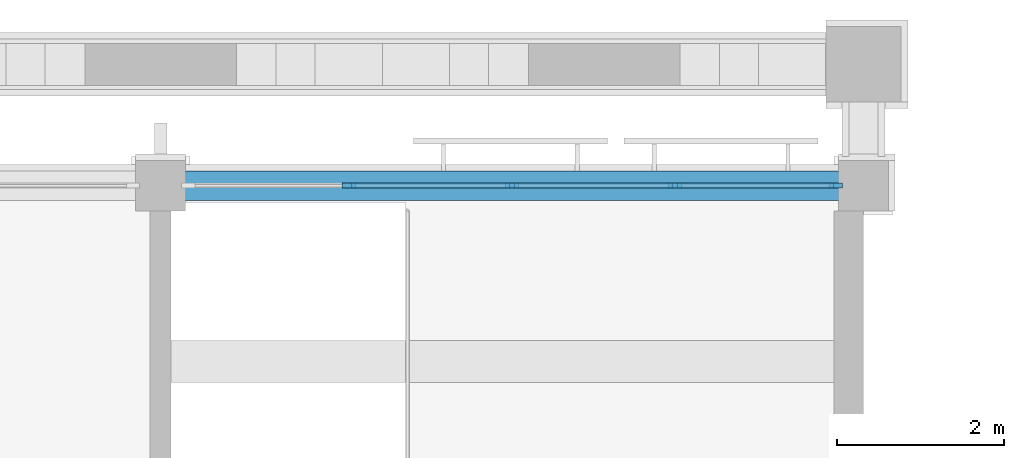
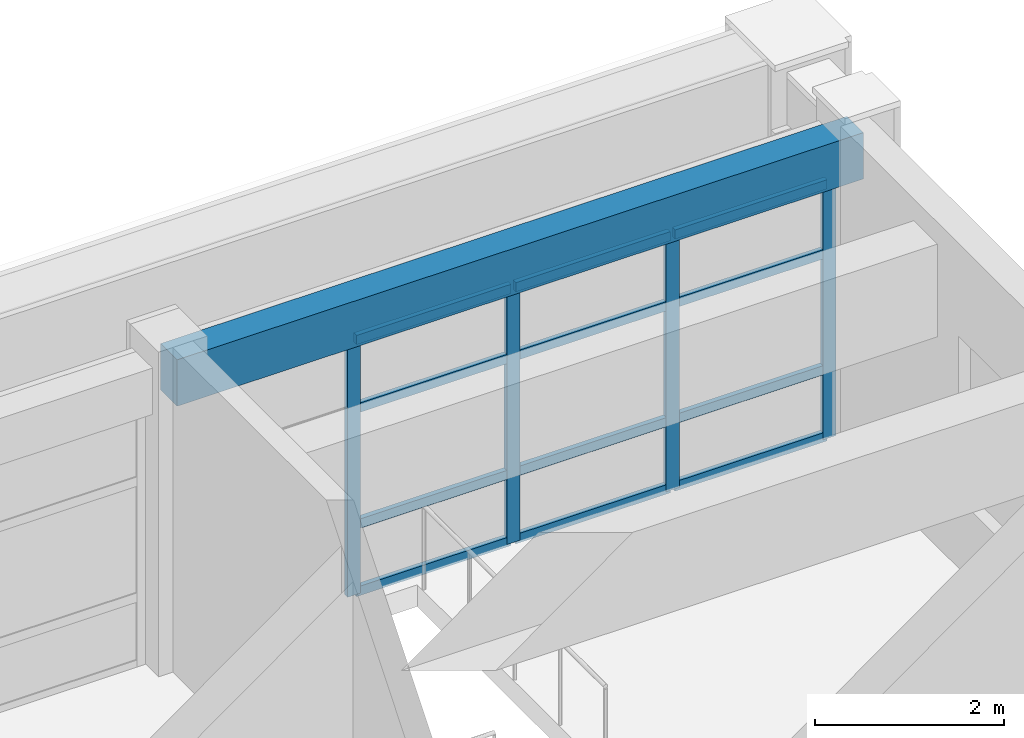
# One storey, part 15 of 68: 16 members, 1 beam, 1 element without a shape of its own.
"""IFC4 building model written with IfcOpenShell, lengths in metres."""

import ifcopenshell
import ifcopenshell.guid

model = None  # the IFC model being written
_history = None  # IfcOwnerHistory: only IFC2X3 demands one
_inside = {}  # id of a spatial element -> (the spatial element, [elements in it])
_under = {}  # id of a project, library or spatial element -> (it, [spatial elements below it])
_declared = {}  # id of a project -> (the project, [libraries it declares])
_typed = {}  # id of a type object -> (the type object, [elements of that type])
_made_of = {}  # id of a material, layer set ... -> (it, [elements and type objects made of it])


def new_model(schema):
    """Start an empty IFC model of exactly this schema.

    Asked for "IFC4X3", IfcOpenShell would pick the latest addendum, in which some entities
    have other attributes; the version numbers below select the first issue.
    IFC2X3 requires an IfcOwnerHistory on every rooted entity: one is made here for all.
    """
    global model, _history
    if schema == "IFC4X3":
        model = ifcopenshell.file(schema_version=(4, 3, 0, 0))
    else:
        model = ifcopenshell.file(schema=schema)
    _inside.clear()
    _under.clear()
    _declared.clear()
    _typed.clear()
    _made_of.clear()
    _history = None
    if model.schema == "IFC2X3":
        org = make("IfcOrganization", Name="unknown")
        user = make(
            "IfcPersonAndOrganization",
            ThePerson=make("IfcPerson", FamilyName="unknown"),
            TheOrganization=org,
        )
        app = make(
            "IfcApplication",
            ApplicationDeveloper=org,
            Version="unknown",
            ApplicationFullName="unknown",
            ApplicationIdentifier="unknown",
        )
        _history = make(
            "IfcOwnerHistory",
            OwningUser=user,
            OwningApplication=app,
            ChangeAction="ADDED",
            CreationDate=0,
        )
    return model


def make(cls, **values):
    """One entity of the class cls with the attributes given. An attribute that is None is left unset."""
    return model.create_entity(
        cls, **{name: value for name, value in values.items() if value is not None}
    )


def rooted(cls, **values):
    """An entity with a GlobalId (a new one), such as an element, a storey or a relation."""
    return make(cls, GlobalId=ifcopenshell.guid.new(), OwnerHistory=_history, **values)


def si_unit(unit_type, name, prefix=None):
    """IfcSIUnit, for example si_unit("LENGTHUNIT", "METRE", prefix="MILLI")."""
    return make("IfcSIUnit", UnitType=unit_type, Prefix=prefix, Name=name)


def assignment(units):
    """IfcUnitAssignment: the units of a project."""
    return None if units is None else make("IfcUnitAssignment", Units=units)


def point(xyz):
    """IfcCartesianPoint."""
    return None if xyz is None else make("IfcCartesianPoint", Coordinates=xyz)


def direction(xyz):
    """IfcDirection."""
    return None if xyz is None else make("IfcDirection", DirectionRatios=xyz)


def frame(location, z_axis=None, x_axis=None):
    """IfcAxis2Placement3D, a coordinate frame: its origin and axes. An axis left out is left unset."""
    return make(
        "IfcAxis2Placement3D",
        Location=point(location),
        Axis=direction(z_axis),
        RefDirection=direction(x_axis),
    )


def frame_2d(location, x_axis=None):
    """IfcAxis2Placement2D, a coordinate frame in the plane: its origin and x axis."""
    return make(
        "IfcAxis2Placement2D", Location=point(location), RefDirection=direction(x_axis)
    )


def origin():
    """The frame at (0, 0, 0) with its axes left unset."""
    return frame((0.0, 0.0, 0.0))


def origin_2d():
    """The frame at (0, 0) in the plane with its x axis left unset."""
    return frame_2d((0.0, 0.0))


def place(relative_to, where):
    """IfcLocalPlacement: puts the frame where relative to a parent placement (None: the world)."""
    return make(
        "IfcLocalPlacement", PlacementRelTo=relative_to, RelativePlacement=where
    )


def context(
    kind, dimensions, precision=None, world=None, true_north=None, identifier=None
):
    """IfcGeometricRepresentationContext, for example the 3D "Model" context."""
    return make(
        "IfcGeometricRepresentationContext",
        ContextIdentifier=identifier,
        ContextType=kind,
        CoordinateSpaceDimension=dimensions,
        Precision=precision,
        WorldCoordinateSystem=world,
        TrueNorth=true_north,
    )


def subcontext(parent, identifier, kind, view, scale=None):
    """IfcGeometricRepresentationSubContext, for example "Body" below "Model"."""
    return make(
        "IfcGeometricRepresentationSubContext",
        ContextIdentifier=identifier,
        ContextType=kind,
        ParentContext=parent,
        TargetScale=scale,
        TargetView=view,
    )


def project(units=None, contexts=None):
    """IfcProject with its units and contexts."""
    return rooted(
        "IfcProject",
        Name="project",
        RepresentationContexts=contexts,
        UnitsInContext=assignment(units),
    )


def spatial(cls, under=None, at=None, **own):
    """A site, building, storey or space (cls), placed at a placement, below another one or the project."""
    s = rooted(cls, ObjectPlacement=at, **own)
    if under is not None:
        _under.setdefault(under.id(), (under, []))[1].append(s)
    return s


def profile(cls, at=None, kind="AREA", **sizes):
    """A parametric profile (cls). Its sizes go by their IFC names, for example OverallWidth=200.0."""
    return make(cls, ProfileType=kind, Position=at, **sizes)


def rectangle(**sizes):
    """IfcRectangleProfileDef."""
    return profile("IfcRectangleProfileDef", **sizes)


def extrude(swept, where, along, depth):
    """IfcExtrudedAreaSolid: the profile swept, set in the frame where, extruded along a direction by depth."""
    return make(
        "IfcExtrudedAreaSolid",
        SweptArea=swept,
        Position=where,
        ExtrudedDirection=direction(along),
        Depth=depth,
    )


def shape(context_of_items, identifier, shape_type, items):
    """IfcShapeRepresentation: the items that make up one representation, for example the "Body"."""
    return make(
        "IfcShapeRepresentation",
        ContextOfItems=context_of_items,
        RepresentationIdentifier=identifier,
        RepresentationType=shape_type,
        Items=items,
    )


def material(Name=None, Category=None):
    """IfcMaterial."""
    return make("IfcMaterial", Name=Name, Category=Category)


def layer(
    of_material, thickness, ventilated=None, Name=None, Category=None, Priority=None
):
    """IfcMaterialLayer: one layer of a wall or slab, of a material (None: an air gap)."""
    return make(
        "IfcMaterialLayer",
        Material=of_material,
        LayerThickness=thickness,
        IsVentilated=ventilated,
        Name=Name,
        Category=Category,
        Priority=Priority,
    )


def layer_set(layers, Name=None):
    """IfcMaterialLayerSet."""
    return make("IfcMaterialLayerSet", MaterialLayers=layers, LayerSetName=Name)


def material_profile(
    of_material, cross_section, Name=None, Category=None, Priority=None
):
    """IfcMaterialProfile: a cross section and its material."""
    return make(
        "IfcMaterialProfile",
        Name=Name,
        Material=of_material,
        Profile=cross_section,
        Priority=Priority,
        Category=Category,
    )


def profile_set(profiles, Name=None, composite=None):
    """IfcMaterialProfileSet."""
    return make(
        "IfcMaterialProfileSet",
        Name=Name,
        MaterialProfiles=profiles,
        CompositeProfile=composite,
    )


def made_of(thing, what):
    """Note that an element or type object is made of a material, layer set ...; save() writes the relation."""
    if what is not None:
        _made_of.setdefault(what.id(), (what, []))[1].append(thing)
    return thing


def type_object(cls, material=None, **own):
    """A type object (cls), such as IfcWallType, which elements share."""
    return made_of(rooted(cls, **own), material)


def element(
    cls,
    number,
    at=None,
    inside=None,
    cuts=None,
    type_object=None,
    material=None,
    context=None,
    identifier="Body",
    shape_type=None,
    held_by="IfcProductDefinitionShape",
    body=None,
    shapes=None,
    **own,
):
    """One element of the class cls, such as IfcWall. Its Tag is "e" and its number.

    at: its placement. inside: the storey or other place that contains it. cuts: it is an
    opening in that element (IfcRelVoidsElement). A single representation is given by context,
    identifier, shape_type and body (its items); several are given by shapes. held_by: the class
    of the entity that holds the representations. save() writes the other relations.
    """
    e = rooted(cls, Tag="e%d" % number, ObjectPlacement=at, **own)
    if body is not None:
        shapes = [shape(context, identifier, shape_type, body)]
    if shapes is not None:
        e.Representation = make(held_by, Representations=shapes)
    if inside is not None:
        _inside.setdefault(inside.id(), (inside, []))[1].append(e)
    if cuts is not None:
        rooted(
            "IfcRelVoidsElement", RelatingBuildingElement=cuts, RelatedOpeningElement=e
        )
    if type_object is not None:
        _typed.setdefault(type_object.id(), (type_object, []))[1].append(e)
    return made_of(e, material)


def aggregate(whole, parts):
    """IfcRelAggregates: a whole, such as a stair, and the parts it consists of."""
    return rooted("IfcRelAggregates", RelatingObject=whole, RelatedObjects=parts)


def save(model, path):
    """Write the relations noted so far, then the file.

    IfcRelAggregates (storeys below a building ...), IfcRelContainedInSpatialStructure (elements
    in a storey), IfcRelDefinesByType, IfcRelAssociatesMaterial and IfcRelDeclares: one each for
    every whole, place, type object, material and project.
    """
    for whole, parts in _under.values():
        aggregate(whole, parts)
    for where, things in _inside.values():
        rooted(
            "IfcRelContainedInSpatialStructure",
            RelatedElements=things,
            RelatingStructure=where,
        )
    for kind, things in _typed.values():
        rooted("IfcRelDefinesByType", RelatedObjects=things, RelatingType=kind)
    for what, things in _made_of.values():
        rooted("IfcRelAssociatesMaterial", RelatedObjects=things, RelatingMaterial=what)
    for by, libraries in _declared.values():
        rooted("IfcRelDeclares", RelatingContext=by, RelatedDefinitions=libraries)
    model.write(path)


model = new_model("IFC4")

# Units and contexts
model_context = context("Model", 3, precision=1e-05, world=origin(), true_north=direction((0.0, 1.0)))
body_context = subcontext(model_context, "Body", "Model", "MODEL_VIEW")
ifc_project = project(units=[si_unit("LENGTHUNIT", "METRE"), si_unit("AREAUNIT", "SQUARE_METRE"), si_unit("VOLUMEUNIT", "CUBIC_METRE"), si_unit("PLANEANGLEUNIT", "RADIAN"), si_unit("MASSUNIT", "GRAM", prefix="KILO")], contexts=[model_context])

# Site, building, storey
site_placement = place(None, origin())
site = spatial("IfcSite", under=ifc_project, at=site_placement, CompositionType="ELEMENT")
building_placement = place(site_placement, origin())
building = spatial("IfcBuilding", under=site, at=building_placement, Name="Wasatch Bagh Community Centre", CompositionType="ELEMENT")
storey_placement = place(building_placement, frame((0.0, 0.0, 8.39990234375)))
storey = spatial("IfcBuildingStorey", under=building, at=storey_placement, Name="L02", CompositionType="ELEMENT", Elevation=8.39990234375)

# Beam
ifc_material_1 = material(Name="Concrete C35", Category="concrete")
ifc_material_profile_1 = material_profile(ifc_material_1, rectangle(XDim=0.35009765625, YDim=0.60009765625, at=origin_2d()), Name="RC 350x600")
ifc_profile_set_1 = profile_set([ifc_material_profile_1], Name="Concrete C35")
beam_type = type_object("IfcBeamType", Name="LW RC 350x600", PredefinedType="BEAM", material=ifc_profile_set_1)
beam_placement = place(storey_placement, frame((131.199951171875, 97.800048828125, 3.6201171875), z_axis=(1.0, 0.0, 0.0), x_axis=(0.0, 1.0, 0.0)))
element("IfcBeam", 1, at=beam_placement, inside=storey, type_object=beam_type, Name="W9-W10N", PredefinedType="BEAM", context=body_context, shape_type="SweptSolid", body=[
    extrude(rectangle(XDim=0.35009765625, YDim=0.60009765625, at=origin_2d()), origin(), (0.0, 0.0, 1.0), 8.400146484375),
])

# Curtain wall, members
ifc_material_2 = material(Name="Aluminium curtain wall frame with low-iron glass", Category="aluminium")
ifc_layer = layer(ifc_material_2, 0.10009765625)
ifc_layer_set = layer_set([ifc_layer], Name="Aluminium curtain wall frame with low-iron glass")
curtain_wall_type = type_object("IfcCurtainWallType", Name="LW curtain wall 100", PredefinedType="NOTDEFINED", material=ifc_layer_set)
curtain_wall_placement = place(storey_placement, origin())
curtain_wall = element("IfcCurtainWall", 2, at=curtain_wall_placement, inside=storey, type_object=curtain_wall_type, Name="Curtain wall 02.05", PredefinedType="NOTDEFINED")
ifc_material_3 = material(Name="Aluminium extrusion", Category="aluminium")
ifc_material_profile_2 = material_profile(ifc_material_3, rectangle(XDim=0.06005859375, YDim=0.159912109375, at=origin_2d()), Name="AL 60x160")
ifc_profile_set_2 = profile_set([ifc_material_profile_2], Name="Aluminium extrusion")
member_type_1 = type_object("IfcMemberType", Name="LW curtain wall mullion 60x160", PredefinedType="MULLION", material=ifc_profile_set_2)
member_1_placement = place(storey_placement, frame((133.449951171875, 97.800048828125, 0.0), z_axis=(0.0, 0.0, 1.0), x_axis=(0.0, 1.0, 0.0)))
member_1 = element("IfcMember", 3, at=member_1_placement, type_object=member_type_1, Name="LW-CW1 mullion 2", PredefinedType="MULLION", context=body_context, shape_type="SweptSolid", body=[
    extrude(rectangle(XDim=0.06005859375, YDim=0.159912109375, at=origin_2d()), origin(), (0.0, 0.0, 1.0), 3.320068359375),
])
member_2_placement = place(storey_placement, frame((135.39990234375, 97.800048828125, 0.0), z_axis=(0.0, 0.0, 1.0), x_axis=(0.0, 1.0, 0.0)))
member_2 = element("IfcMember", 4, at=member_2_placement, type_object=member_type_1, Name="LW-CW1 mullion 3", PredefinedType="MULLION", context=body_context, shape_type="SweptSolid", body=[
    extrude(rectangle(XDim=0.06005859375, YDim=0.159912109375, at=origin_2d()), origin(), (0.0, 0.0, 1.0), 3.320068359375),
])
member_3_placement = place(storey_placement, frame((137.35009765625, 97.800048828125, 0.0), z_axis=(0.0, 0.0, 1.0), x_axis=(0.0, 1.0, 0.0)))
member_3 = element("IfcMember", 5, at=member_3_placement, type_object=member_type_1, Name="LW-CW1 mullion 4", PredefinedType="MULLION", context=body_context, shape_type="SweptSolid", body=[
    extrude(rectangle(XDim=0.06005859375, YDim=0.159912109375, at=origin_2d()), origin(), (0.0, 0.0, 1.0), 3.320068359375),
])
member_4_placement = place(storey_placement, frame((139.27001953125, 97.800048828125, 0.0), z_axis=(0.0, 0.0, 1.0), x_axis=(0.0, 1.0, 0.0)))
member_4 = element("IfcMember", 6, at=member_4_placement, type_object=member_type_1, Name="LW-CW1 mullion 5", PredefinedType="MULLION", context=body_context, shape_type="SweptSolid", body=[
    extrude(rectangle(XDim=0.06005859375, YDim=0.159912109375, at=origin_2d()), origin(), (0.0, 0.0, 1.0), 3.320068359375),
])
ifc_material_profile_3 = material_profile(ifc_material_3, rectangle(XDim=0.06005859375, YDim=0.1201171875, at=origin_2d()), Name="AL 60x120")
ifc_profile_set_3 = profile_set([ifc_material_profile_3], Name="Aluminium extrusion")
member_type_2 = type_object("IfcMemberType", Name="LW curtain wall transom 60x120", PredefinedType="USERDEFINED", material=ifc_profile_set_3)
member_5_placement = place(storey_placement, frame((133.47998046875, 97.800048828125, 0.030029296875), z_axis=(1.0, 0.0, 0.0), x_axis=(0.0, 1.0, 0.0)))
member_5 = element("IfcMember", 7, at=member_5_placement, type_object=member_type_2, Name="LW-CW1 transom 2.1", ObjectType="TRANSOM", PredefinedType="USERDEFINED", context=body_context, shape_type="SweptSolid", body=[
    extrude(rectangle(XDim=0.06005859375, YDim=0.1201171875, at=origin_2d()), origin(), (0.0, 0.0, 1.0), 1.89013671875),
])
member_6_placement = place(storey_placement, frame((133.47998046875, 97.800048828125, 0.900146484375), z_axis=(1.0, 0.0, 0.0), x_axis=(0.0, 1.0, 0.0)))
member_6 = element("IfcMember", 8, at=member_6_placement, type_object=member_type_2, Name="LW-CW1 transom 2.2", ObjectType="TRANSOM", PredefinedType="USERDEFINED", context=body_context, shape_type="SweptSolid", body=[
    extrude(rectangle(XDim=0.06005859375, YDim=0.1201171875, at=origin_2d()), origin(), (0.0, 0.0, 1.0), 1.89013671875),
])
member_7_placement = place(storey_placement, frame((133.47998046875, 97.800048828125, 2.400146484375), z_axis=(1.0, 0.0, 0.0), x_axis=(0.0, 1.0, 0.0)))
member_7 = element("IfcMember", 9, at=member_7_placement, type_object=member_type_2, Name="LW-CW1 transom 2.3", ObjectType="TRANSOM", PredefinedType="USERDEFINED", context=body_context, shape_type="SweptSolid", body=[
    extrude(rectangle(XDim=0.06005859375, YDim=0.1201171875, at=origin_2d()), origin(), (0.0, 0.0, 1.0), 1.89013671875),
])
member_8_placement = place(storey_placement, frame((133.47998046875, 97.800048828125, 3.2900390625), z_axis=(1.0, 0.0, 0.0), x_axis=(0.0, 1.0, 0.0)))
member_8 = element("IfcMember", 10, at=member_8_placement, type_object=member_type_2, Name="LW-CW1 transom 2.4", ObjectType="TRANSOM", PredefinedType="USERDEFINED", context=body_context, shape_type="SweptSolid", body=[
    extrude(rectangle(XDim=0.06005859375, YDim=0.1201171875, at=origin_2d()), origin(), (0.0, 0.0, 1.0), 1.89013671875),
])
member_9_placement = place(storey_placement, frame((135.429931640625, 97.800048828125, 0.030029296875), z_axis=(1.0, 0.0, 0.0), x_axis=(0.0, 1.0, 0.0)))
member_9 = element("IfcMember", 11, at=member_9_placement, type_object=member_type_2, Name="LW-CW1 transom 3.1", ObjectType="TRANSOM", PredefinedType="USERDEFINED", context=body_context, shape_type="SweptSolid", body=[
    extrude(rectangle(XDim=0.06005859375, YDim=0.1201171875, at=origin_2d()), origin(), (0.0, 0.0, 1.0), 1.89013671875),
])
member_10_placement = place(storey_placement, frame((135.429931640625, 97.800048828125, 0.900146484375), z_axis=(1.0, 0.0, 0.0), x_axis=(0.0, 1.0, 0.0)))
member_10 = element("IfcMember", 12, at=member_10_placement, type_object=member_type_2, Name="LW-CW1 transom 3.2", ObjectType="TRANSOM", PredefinedType="USERDEFINED", context=body_context, shape_type="SweptSolid", body=[
    extrude(rectangle(XDim=0.06005859375, YDim=0.1201171875, at=origin_2d()), origin(), (0.0, 0.0, 1.0), 1.89013671875),
])
member_11_placement = place(storey_placement, frame((135.429931640625, 97.800048828125, 2.400146484375), z_axis=(1.0, 0.0, 0.0), x_axis=(0.0, 1.0, 0.0)))
member_11 = element("IfcMember", 13, at=member_11_placement, type_object=member_type_2, Name="LW-CW1 transom 3.3", ObjectType="TRANSOM", PredefinedType="USERDEFINED", context=body_context, shape_type="SweptSolid", body=[
    extrude(rectangle(XDim=0.06005859375, YDim=0.1201171875, at=origin_2d()), origin(), (0.0, 0.0, 1.0), 1.89013671875),
])
member_12_placement = place(storey_placement, frame((135.429931640625, 97.800048828125, 3.2900390625), z_axis=(1.0, 0.0, 0.0), x_axis=(0.0, 1.0, 0.0)))
member_12 = element("IfcMember", 14, at=member_12_placement, type_object=member_type_2, Name="LW-CW1 transom 3.4", ObjectType="TRANSOM", PredefinedType="USERDEFINED", context=body_context, shape_type="SweptSolid", body=[
    extrude(rectangle(XDim=0.06005859375, YDim=0.1201171875, at=origin_2d()), origin(), (0.0, 0.0, 1.0), 1.89013671875),
])
member_13_placement = place(storey_placement, frame((137.3798828125, 97.800048828125, 0.030029296875), z_axis=(1.0, 0.0, 0.0), x_axis=(0.0, 1.0, 0.0)))
member_13 = element("IfcMember", 15, at=member_13_placement, type_object=member_type_2, Name="LW-CW1 transom 4.1", ObjectType="TRANSOM", PredefinedType="USERDEFINED", context=body_context, shape_type="SweptSolid", body=[
    extrude(rectangle(XDim=0.06005859375, YDim=0.1201171875, at=origin_2d()), origin(), (0.0, 0.0, 1.0), 1.860107421875),
])
member_14_placement = place(storey_placement, frame((137.3798828125, 97.800048828125, 0.900146484375), z_axis=(1.0, 0.0, 0.0), x_axis=(0.0, 1.0, 0.0)))
member_14 = element("IfcMember", 16, at=member_14_placement, type_object=member_type_2, Name="LW-CW1 transom 4.2", ObjectType="TRANSOM", PredefinedType="USERDEFINED", context=body_context, shape_type="SweptSolid", body=[
    extrude(rectangle(XDim=0.06005859375, YDim=0.1201171875, at=origin_2d()), origin(), (0.0, 0.0, 1.0), 1.860107421875),
])
member_15_placement = place(storey_placement, frame((137.3798828125, 97.800048828125, 2.400146484375), z_axis=(1.0, 0.0, 0.0), x_axis=(0.0, 1.0, 0.0)))
member_15 = element("IfcMember", 17, at=member_15_placement, type_object=member_type_2, Name="LW-CW1 transom 4.3", ObjectType="TRANSOM", PredefinedType="USERDEFINED", context=body_context, shape_type="SweptSolid", body=[
    extrude(rectangle(XDim=0.06005859375, YDim=0.1201171875, at=origin_2d()), origin(), (0.0, 0.0, 1.0), 1.860107421875),
])
member_16_placement = place(storey_placement, frame((137.3798828125, 97.800048828125, 3.2900390625), z_axis=(1.0, 0.0, 0.0), x_axis=(0.0, 1.0, 0.0)))
member_16 = element("IfcMember", 18, at=member_16_placement, type_object=member_type_2, Name="LW-CW1 transom 4.4", ObjectType="TRANSOM", PredefinedType="USERDEFINED", context=body_context, shape_type="SweptSolid", body=[
    extrude(rectangle(XDim=0.06005859375, YDim=0.1201171875, at=origin_2d()), origin(), (0.0, 0.0, 1.0), 1.860107421875),
])
aggregate(curtain_wall, [member_1, member_2, member_3, member_4, member_5, member_6, member_7, member_8, member_9, member_10, member_11, member_12, member_13, member_14, member_15, member_16])

save(model, "model.ifc")
